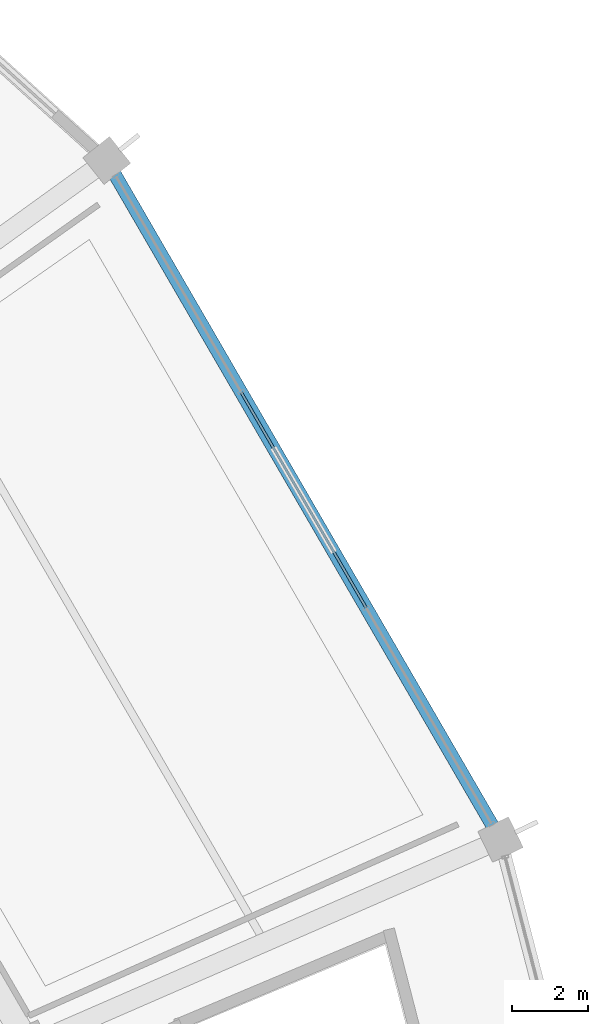
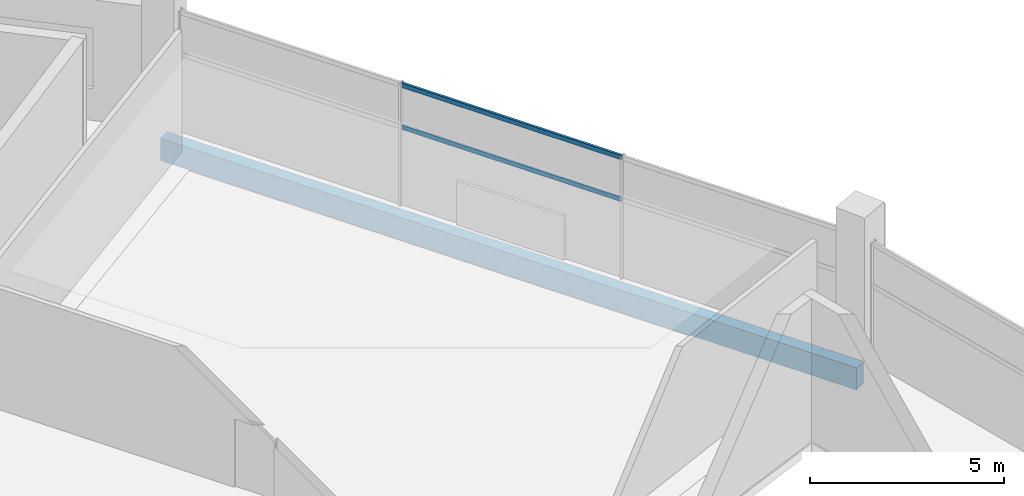
# One storey, part 90 of 156: 2 members, 1 beam, 1 element without a shape of its own.
"""IFC4 building model written with IfcOpenShell, lengths in metres."""

from ifc_helpers import new_model, si_unit, direction, frame, origin, origin_2d, place, context, subcontext, project, spatial, rectangle, hollow_rectangle, extrude, material, layer, layer_set, material_profile, profile_set, type_object, element, aggregate, save


model = new_model("IFC4")

# Units and contexts
model_context = context("Model", 3, precision=1e-05, world=origin(), true_north=direction((0.0, 1.0)))
body_context = subcontext(model_context, "Body", "Model", "MODEL_VIEW")
ifc_project = project(units=[si_unit("LENGTHUNIT", "METRE"), si_unit("AREAUNIT", "SQUARE_METRE"), si_unit("VOLUMEUNIT", "CUBIC_METRE"), si_unit("PLANEANGLEUNIT", "RADIAN"), si_unit("MASSUNIT", "GRAM", prefix="KILO")], contexts=[model_context])

# Site, building, storey
site_placement = place(None, origin())
site = spatial("IfcSite", under=ifc_project, at=site_placement, CompositionType="ELEMENT")
building_placement = place(site_placement, origin())
building = spatial("IfcBuilding", under=site, at=building_placement, Name="Kazemori Nagisa Stadium", CompositionType="ELEMENT")
storey_placement = place(building_placement, frame((0.0, 0.0, 5.780029296875)))
storey = spatial("IfcBuildingStorey", under=building, at=storey_placement, Name="L01", CompositionType="ELEMENT", Elevation=5.780029296875)

# Beam
ifc_material_1 = material(Name="Concrete C40/50 (Fc42)", Category="concrete")
ifc_material_profile_1 = material_profile(ifc_material_1, rectangle(XDim=0.35009765625, YDim=0.699951171875, at=origin_2d()), Name="RC-SP-350x700")
ifc_profile_set_1 = profile_set([ifc_material_profile_1], Name="Concrete C40/50 (Fc42)")
beam_type = type_object("IfcBeamType", Name="Beam_BS-RC350X700", PredefinedType="SPANDREL", material=ifc_profile_set_1)
beam_placement = place(storey_placement, frame((211.885009765625, 140.74951171875, -0.630126953125), z_axis=(-0.50161277459, 0.8650922635, 0.0), x_axis=(-0.8650922635, -0.50161277459, 0.0)))
element("IfcBeam", 1, at=beam_placement, inside=storey, type_object=beam_type, Name="Ring girder BS-RC350X700 L01 R3-03", PredefinedType="SPANDREL", context=body_context, shape_type="SweptSolid", body=[
    extrude(rectangle(XDim=0.35009765625, YDim=0.699951171875, at=origin_2d()), origin(), (0.0, 0.0, 1.0), 20.71240234375),
])

# Curtain wall, members
ifc_material_2 = material(Name="Anodised aluminium 6063-T5", Category="aluminium")
ifc_layer = layer(ifc_material_2, 0.179931640625, Name="Anodised aluminium 6063-T5", Category="aluminium")
ifc_layer_set = layer_set([ifc_layer], Name="Anodised aluminium 6063-T5")
curtain_wall_type = type_object("IfcCurtainWallType", Name="CW_L01R3_99", PredefinedType="USERDEFINED", material=ifc_layer_set)
curtain_wall_placement = place(storey_placement, origin())
curtain_wall = element("IfcCurtainWall", 2, at=curtain_wall_placement, inside=storey, type_object=curtain_wall_type, Name="Unitised curtain wall CW-L01R3-99 L01", ObjectType="UNITISED CURTAIN WALL", PredefinedType="USERDEFINED")
ifc_material_3 = material(Name="Aluminium 6063-T5 anodised", Category="aluminium")
ifc_material_profile_2 = material_profile(ifc_material_3, hollow_rectangle(XDim=0.070068359375, YDim=0.139892578125, WallThickness=0.00390625, at=origin_2d()), Name="ALU-TRAN-70x140x4")
ifc_profile_set_2 = profile_set([ifc_material_profile_2], Name="Aluminium 6063-T5 anodised")
member_type = type_object("IfcMemberType", Name="Transom_T01", PredefinedType="USERDEFINED", material=ifc_profile_set_2)
member_1_placement = place(storey_placement, frame((208.332275390625, 146.87646484375, 2.4638671875), z_axis=(-0.501590295943, 0.865105297069, 0.0), x_axis=(-0.865105297069, -0.501590295943, 0.0)))
member_1 = element("IfcMember", 3, at=member_1_placement, type_object=member_type, Name="Curtain wall transom CW-L01R3-99-T2-mid", ObjectType="TRANSOM", PredefinedType="USERDEFINED", context=body_context, shape_type="SweptSolid", body=[
    extrude(hollow_rectangle(XDim=0.070068359375, YDim=0.139892578125, WallThickness=0.00390625, at=origin_2d()), origin(), (0.0, 0.0, 1.0), 6.547607421875),
])
member_2_placement = place(storey_placement, frame((208.332275390625, 146.87646484375, 3.780029296875), z_axis=(-0.501590295943, 0.865105297069, 0.0), x_axis=(-0.865105297069, -0.501590295943, 0.0)))
member_2 = element("IfcMember", 4, at=member_2_placement, type_object=member_type, Name="Curtain wall transom CW-L01R3-99-T2-head", ObjectType="TRANSOM", PredefinedType="USERDEFINED", context=body_context, shape_type="SweptSolid", body=[
    extrude(hollow_rectangle(XDim=0.070068359375, YDim=0.139892578125, WallThickness=0.00390625, at=origin_2d()), origin(), (0.0, 0.0, 1.0), 6.547607421875),
])
aggregate(curtain_wall, [member_1, member_2])

save(model, "model.ifc")
